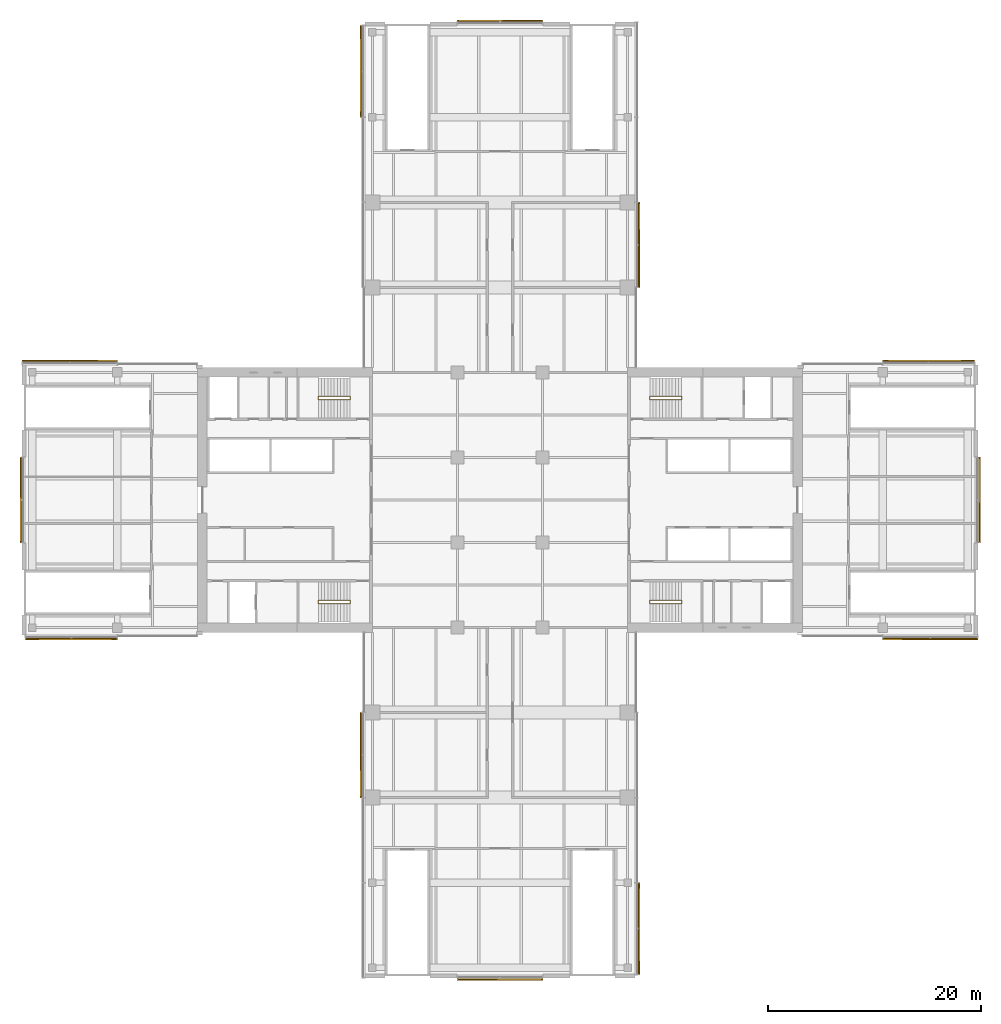
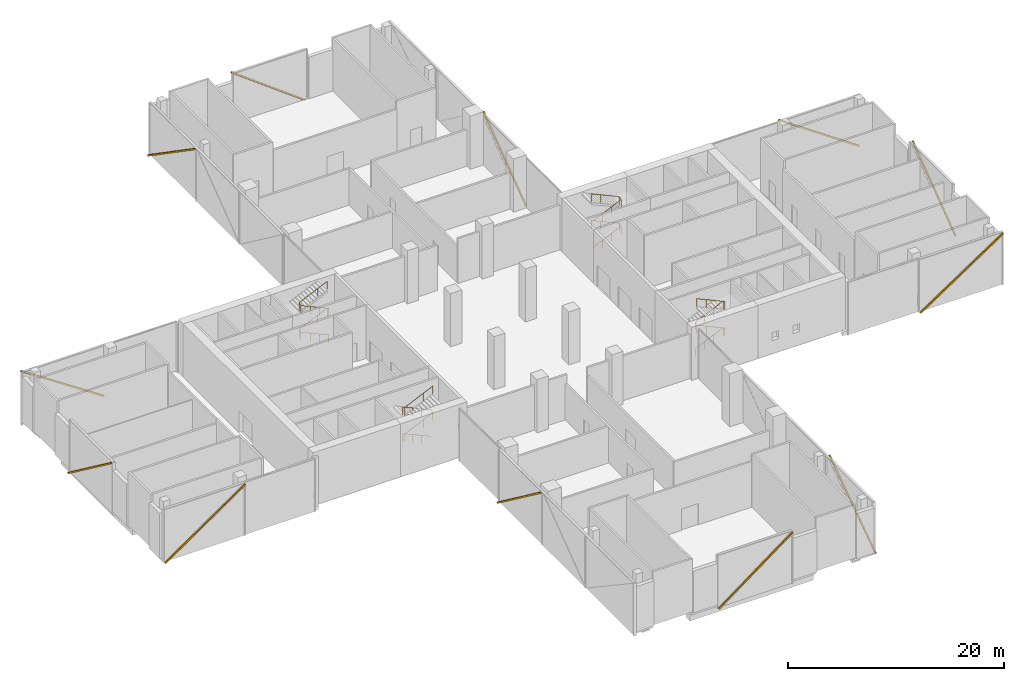
# One storey, part 23 of 23: 12 shading devices, 4 railings, 12 elements without a shape of their own.
"""IFC4 building model written with IfcOpenShell, lengths in metres."""

from ifc_helpers import new_model, si_unit, direction, frame, origin, origin_2d, place, context, subcontext, project, spatial, rectangle, circle, extrude, material, material_profile, profile_set, type_object, element, aggregate, save


model = new_model("IFC4")

# Units and contexts
model_context = context("Model", 3, precision=1e-05, world=origin(), true_north=direction((0.0, 1.0)))
body_context = subcontext(model_context, "Body", "Model", "MODEL_VIEW")
ifc_project = project(units=[si_unit("LENGTHUNIT", "METRE"), si_unit("AREAUNIT", "SQUARE_METRE"), si_unit("VOLUMEUNIT", "CUBIC_METRE"), si_unit("PLANEANGLEUNIT", "RADIAN"), si_unit("MASSUNIT", "GRAM", prefix="KILO")], contexts=[model_context])

# Site, building, storey
site_placement = place(None, origin())
site = spatial("IfcSite", under=ifc_project, at=site_placement, CompositionType="ELEMENT")
building_placement = place(site_placement, origin())
building = spatial("IfcBuilding", under=site, at=building_placement, Name="Crosswind Convention Tower", CompositionType="ELEMENT")
storey_placement = place(building_placement, frame((0.0, 0.0, 41.5)))
storey = spatial("IfcBuildingStorey", under=building, at=storey_placement, Name="L05", CompositionType="ELEMENT", Elevation=41.5)

# Railings
ifc_material_1 = material(Name="Stainless steel", Category="steel")
railing_type = type_object("IfcRailingType", Name="Stair handrail 900", PredefinedType="HANDRAIL", material=ifc_material_1)
railing_1_placement = place(storey_placement, frame((139.10009765625, 109.43994140625, 0.136474609375)))
element("IfcRailing", 1, at=railing_1_placement, inside=storey, type_object=railing_type, Name="Stair ST1 handrail L05", PredefinedType="HANDRAIL", context=body_context, shape_type="SweptSolid", body=[
    extrude(circle(Radius=0.02392578125, at=origin_2d()), frame((0.0, 0.0, 0.8759765625), z_axis=(0.910379163139, 0.0, 0.413775034678), x_axis=(0.0, 1.0, 0.0)), (0.0, 0.0, 1.0), 3.29541015625),
    extrude(circle(Radius=0.02392578125, at=origin_2d()), frame((3.0, 0.0, 2.2392578125), z_axis=(0.0, 0.919869319323, 0.39222498055), x_axis=(-1.0, 0.0, 0.0)), (0.0, 0.0, 1.0), 0.347900390625),
    extrude(circle(Radius=0.02392578125, at=origin_2d()), frame((3.0, 0.320068359375, 2.3759765625), z_axis=(-0.910379163139, 0.0, 0.413775034678), x_axis=(0.0, -1.0, 0.0)), (0.0, 0.0, 1.0), 3.29541015625),
    extrude(circle(Radius=0.02392578125, at=origin_2d()), frame((0.0, 0.320068359375, 3.7392578125), z_axis=(0.0, -0.919869319323, 0.39222498055), x_axis=(1.0, 0.0, 0.0)), (0.0, 0.0, 1.0), 0.347900390625),
    extrude(circle(Radius=0.02392578125, at=origin_2d()), frame((0.0, 0.0, 3.8759765625), z_axis=(0.910379163139, 0.0, 0.413775034678), x_axis=(0.0, 1.0, 0.0)), (0.0, 0.0, 1.0), 3.29541015625),
    extrude(circle(Radius=0.02392578125, at=origin_2d()), frame((3.0, 0.0, 5.2392578125), z_axis=(0.0, 0.919869319323, 0.39222498055), x_axis=(-1.0, 0.0, 0.0)), (0.0, 0.0, 1.0), 0.347900390625),
    extrude(circle(Radius=0.02392578125, at=origin_2d()), frame((3.0, 0.320068359375, 5.3759765625), z_axis=(-0.910379163139, 0.0, 0.413775034678), x_axis=(0.0, -1.0, 0.0)), (0.0, 0.0, 1.0), 3.29541015625),
    extrude(circle(Radius=0.02099609375, at=origin_2d()), origin(), (0.0, 0.0, 1.0), 0.851806640625),
    extrude(circle(Radius=0.02099609375, at=origin_2d()), frame((1.0, 0.0, 0.45458984375)), (0.0, 0.0, 1.0), 0.851806640625),
    extrude(circle(Radius=0.02099609375, at=origin_2d()), frame((2.0, 0.0, 0.908935546875)), (0.0, 0.0, 1.0), 0.851806640625),
    extrude(circle(Radius=0.02099609375, at=origin_2d()), frame((3.0, 0.0, 1.363525390625)), (0.0, 0.0, 1.0), 0.851806640625),
    extrude(circle(Radius=0.02099609375, at=origin_2d()), frame((3.0, 0.320068359375, 1.5)), (0.0, 0.0, 1.0), 0.851806640625),
    extrude(circle(Radius=0.02099609375, at=origin_2d()), frame((2.0, 0.320068359375, 1.95458984375)), (0.0, 0.0, 1.0), 0.851806640625),
    extrude(circle(Radius=0.02099609375, at=origin_2d()), frame((1.0, 0.320068359375, 2.408935546875)), (0.0, 0.0, 1.0), 0.851806640625),
    extrude(circle(Radius=0.02099609375, at=origin_2d()), frame((0.0, 0.320068359375, 2.863525390625)), (0.0, 0.0, 1.0), 0.851806640625),
    extrude(circle(Radius=0.02099609375, at=origin_2d()), frame((0.0, 0.0, 3.0)), (0.0, 0.0, 1.0), 0.851806640625),
    extrude(circle(Radius=0.02099609375, at=origin_2d()), frame((1.0, 0.0, 3.45458984375)), (0.0, 0.0, 1.0), 0.851806640625),
    extrude(circle(Radius=0.02099609375, at=origin_2d()), frame((2.0, 0.0, 3.908935546875)), (0.0, 0.0, 1.0), 0.851806640625),
    extrude(circle(Radius=0.02099609375, at=origin_2d()), frame((3.0, 0.0, 4.363525390625)), (0.0, 0.0, 1.0), 0.851806640625),
    extrude(circle(Radius=0.02099609375, at=origin_2d()), frame((3.0, 0.320068359375, 4.5)), (0.0, 0.0, 1.0), 0.851806640625),
    extrude(circle(Radius=0.02099609375, at=origin_2d()), frame((2.0, 0.320068359375, 4.95458984375)), (0.0, 0.0, 1.0), 0.851806640625),
    extrude(circle(Radius=0.02099609375, at=origin_2d()), frame((1.0, 0.320068359375, 5.408935546875)), (0.0, 0.0, 1.0), 0.851806640625),
    extrude(circle(Radius=0.02099609375, at=origin_2d()), frame((0.0, 0.320068359375, 5.863525390625)), (0.0, 0.0, 1.0), 0.851806640625),
])
railing_2_placement = place(storey_placement, frame((139.10009765625, 90.56005859375, 0.136474609375)))
element("IfcRailing", 2, at=railing_2_placement, inside=storey, type_object=railing_type, Name="Stair ST2 handrail L05", PredefinedType="HANDRAIL", context=body_context, shape_type="SweptSolid", body=[
    extrude(circle(Radius=0.02392578125, at=origin_2d()), frame((0.0, 0.0, 0.8759765625), z_axis=(0.910379163139, 0.0, 0.413775034678), x_axis=(0.0, 1.0, 0.0)), (0.0, 0.0, 1.0), 3.29541015625),
    extrude(circle(Radius=0.02392578125, at=origin_2d()), frame((3.0, 0.0, 2.2392578125), z_axis=(0.0, -0.919869319323, 0.39222498055), x_axis=(1.0, 0.0, 0.0)), (0.0, 0.0, 1.0), 0.347900390625),
    extrude(circle(Radius=0.02392578125, at=origin_2d()), frame((3.0, -0.320068359375, 2.3759765625), z_axis=(-0.910379163139, 0.0, 0.413775034678), x_axis=(0.0, -1.0, 0.0)), (0.0, 0.0, 1.0), 3.29541015625),
    extrude(circle(Radius=0.02392578125, at=origin_2d()), frame((0.0, -0.320068359375, 3.7392578125), z_axis=(0.0, 0.919869319323, 0.39222498055), x_axis=(-1.0, 0.0, 0.0)), (0.0, 0.0, 1.0), 0.347900390625),
    extrude(circle(Radius=0.02392578125, at=origin_2d()), frame((0.0, 0.0, 3.8759765625), z_axis=(0.910379163139, 0.0, 0.413775034678), x_axis=(0.0, 1.0, 0.0)), (0.0, 0.0, 1.0), 3.29541015625),
    extrude(circle(Radius=0.02392578125, at=origin_2d()), frame((3.0, 0.0, 5.2392578125), z_axis=(0.0, -0.919869319323, 0.39222498055), x_axis=(1.0, 0.0, 0.0)), (0.0, 0.0, 1.0), 0.347900390625),
    extrude(circle(Radius=0.02392578125, at=origin_2d()), frame((3.0, -0.320068359375, 5.3759765625), z_axis=(-0.910379163139, 0.0, 0.413775034678), x_axis=(0.0, -1.0, 0.0)), (0.0, 0.0, 1.0), 3.29541015625),
    extrude(circle(Radius=0.02099609375, at=origin_2d()), origin(), (0.0, 0.0, 1.0), 0.851806640625),
    extrude(circle(Radius=0.02099609375, at=origin_2d()), frame((1.0, 0.0, 0.45458984375)), (0.0, 0.0, 1.0), 0.851806640625),
    extrude(circle(Radius=0.02099609375, at=origin_2d()), frame((2.0, 0.0, 0.908935546875)), (0.0, 0.0, 1.0), 0.851806640625),
    extrude(circle(Radius=0.02099609375, at=origin_2d()), frame((3.0, 0.0, 1.363525390625)), (0.0, 0.0, 1.0), 0.851806640625),
    extrude(circle(Radius=0.02099609375, at=origin_2d()), frame((3.0, -0.320068359375, 1.5)), (0.0, 0.0, 1.0), 0.851806640625),
    extrude(circle(Radius=0.02099609375, at=origin_2d()), frame((2.0, -0.320068359375, 1.95458984375)), (0.0, 0.0, 1.0), 0.851806640625),
    extrude(circle(Radius=0.02099609375, at=origin_2d()), frame((1.0, -0.320068359375, 2.408935546875)), (0.0, 0.0, 1.0), 0.851806640625),
    extrude(circle(Radius=0.02099609375, at=origin_2d()), frame((0.0, -0.320068359375, 2.863525390625)), (0.0, 0.0, 1.0), 0.851806640625),
    extrude(circle(Radius=0.02099609375, at=origin_2d()), frame((0.0, 0.0, 3.0)), (0.0, 0.0, 1.0), 0.851806640625),
    extrude(circle(Radius=0.02099609375, at=origin_2d()), frame((1.0, 0.0, 3.45458984375)), (0.0, 0.0, 1.0), 0.851806640625),
    extrude(circle(Radius=0.02099609375, at=origin_2d()), frame((2.0, 0.0, 3.908935546875)), (0.0, 0.0, 1.0), 0.851806640625),
    extrude(circle(Radius=0.02099609375, at=origin_2d()), frame((3.0, 0.0, 4.363525390625)), (0.0, 0.0, 1.0), 0.851806640625),
    extrude(circle(Radius=0.02099609375, at=origin_2d()), frame((3.0, -0.320068359375, 4.5)), (0.0, 0.0, 1.0), 0.851806640625),
    extrude(circle(Radius=0.02099609375, at=origin_2d()), frame((2.0, -0.320068359375, 4.95458984375)), (0.0, 0.0, 1.0), 0.851806640625),
    extrude(circle(Radius=0.02099609375, at=origin_2d()), frame((1.0, -0.320068359375, 5.408935546875)), (0.0, 0.0, 1.0), 0.851806640625),
    extrude(circle(Radius=0.02099609375, at=origin_2d()), frame((0.0, -0.320068359375, 5.863525390625)), (0.0, 0.0, 1.0), 0.851806640625),
])
railing_3_placement = place(storey_placement, frame((110.89990234375, 90.56005859375, 0.136474609375)))
element("IfcRailing", 3, at=railing_3_placement, inside=storey, type_object=railing_type, Name="Stair ST3 handrail L05", PredefinedType="HANDRAIL", context=body_context, shape_type="SweptSolid", body=[
    extrude(circle(Radius=0.02392578125, at=origin_2d()), frame((0.0, 0.0, 0.8759765625), z_axis=(-0.910379163139, 0.0, 0.413775034678), x_axis=(0.0, -1.0, 0.0)), (0.0, 0.0, 1.0), 3.29541015625),
    extrude(circle(Radius=0.02392578125, at=origin_2d()), frame((-3.0, 0.0, 2.2392578125), z_axis=(0.0, -0.919869319323, 0.39222498055), x_axis=(1.0, 0.0, 0.0)), (0.0, 0.0, 1.0), 0.347900390625),
    extrude(circle(Radius=0.02392578125, at=origin_2d()), frame((-3.0, -0.320068359375, 2.3759765625), z_axis=(0.910379163139, 0.0, 0.413775034678), x_axis=(0.0, 1.0, 0.0)), (0.0, 0.0, 1.0), 3.29541015625),
    extrude(circle(Radius=0.02392578125, at=origin_2d()), frame((0.0, -0.320068359375, 3.7392578125), z_axis=(0.0, 0.919869319323, 0.39222498055), x_axis=(-1.0, 0.0, 0.0)), (0.0, 0.0, 1.0), 0.347900390625),
    extrude(circle(Radius=0.02392578125, at=origin_2d()), frame((0.0, 0.0, 3.8759765625), z_axis=(-0.910379163139, 0.0, 0.413775034678), x_axis=(0.0, -1.0, 0.0)), (0.0, 0.0, 1.0), 3.29541015625),
    extrude(circle(Radius=0.02392578125, at=origin_2d()), frame((-3.0, 0.0, 5.2392578125), z_axis=(0.0, -0.919869319323, 0.39222498055), x_axis=(1.0, 0.0, 0.0)), (0.0, 0.0, 1.0), 0.347900390625),
    extrude(circle(Radius=0.02392578125, at=origin_2d()), frame((-3.0, -0.320068359375, 5.3759765625), z_axis=(0.910379163139, 0.0, 0.413775034678), x_axis=(0.0, 1.0, 0.0)), (0.0, 0.0, 1.0), 3.29541015625),
    extrude(circle(Radius=0.02099609375, at=origin_2d()), origin(), (0.0, 0.0, 1.0), 0.851806640625),
    extrude(circle(Radius=0.02099609375, at=origin_2d()), frame((-1.0, 0.0, 0.45458984375)), (0.0, 0.0, 1.0), 0.851806640625),
    extrude(circle(Radius=0.02099609375, at=origin_2d()), frame((-2.0, 0.0, 0.908935546875)), (0.0, 0.0, 1.0), 0.851806640625),
    extrude(circle(Radius=0.02099609375, at=origin_2d()), frame((-3.0, 0.0, 1.363525390625)), (0.0, 0.0, 1.0), 0.851806640625),
    extrude(circle(Radius=0.02099609375, at=origin_2d()), frame((-3.0, -0.320068359375, 1.5)), (0.0, 0.0, 1.0), 0.851806640625),
    extrude(circle(Radius=0.02099609375, at=origin_2d()), frame((-2.0, -0.320068359375, 1.95458984375)), (0.0, 0.0, 1.0), 0.851806640625),
    extrude(circle(Radius=0.02099609375, at=origin_2d()), frame((-1.0, -0.320068359375, 2.408935546875)), (0.0, 0.0, 1.0), 0.851806640625),
    extrude(circle(Radius=0.02099609375, at=origin_2d()), frame((0.0, -0.320068359375, 2.863525390625)), (0.0, 0.0, 1.0), 0.851806640625),
    extrude(circle(Radius=0.02099609375, at=origin_2d()), frame((0.0, 0.0, 3.0)), (0.0, 0.0, 1.0), 0.851806640625),
    extrude(circle(Radius=0.02099609375, at=origin_2d()), frame((-1.0, 0.0, 3.45458984375)), (0.0, 0.0, 1.0), 0.851806640625),
    extrude(circle(Radius=0.02099609375, at=origin_2d()), frame((-2.0, 0.0, 3.908935546875)), (0.0, 0.0, 1.0), 0.851806640625),
    extrude(circle(Radius=0.02099609375, at=origin_2d()), frame((-3.0, 0.0, 4.363525390625)), (0.0, 0.0, 1.0), 0.851806640625),
    extrude(circle(Radius=0.02099609375, at=origin_2d()), frame((-3.0, -0.320068359375, 4.5)), (0.0, 0.0, 1.0), 0.851806640625),
    extrude(circle(Radius=0.02099609375, at=origin_2d()), frame((-2.0, -0.320068359375, 4.95458984375)), (0.0, 0.0, 1.0), 0.851806640625),
    extrude(circle(Radius=0.02099609375, at=origin_2d()), frame((-1.0, -0.320068359375, 5.408935546875)), (0.0, 0.0, 1.0), 0.851806640625),
    extrude(circle(Radius=0.02099609375, at=origin_2d()), frame((0.0, -0.320068359375, 5.863525390625)), (0.0, 0.0, 1.0), 0.851806640625),
])
railing_4_placement = place(storey_placement, frame((110.89990234375, 109.43994140625, 0.136474609375)))
element("IfcRailing", 4, at=railing_4_placement, inside=storey, type_object=railing_type, Name="Stair ST4 handrail L05", PredefinedType="HANDRAIL", context=body_context, shape_type="SweptSolid", body=[
    extrude(circle(Radius=0.02392578125, at=origin_2d()), frame((0.0, 0.0, 0.8759765625), z_axis=(-0.910379163139, 0.0, 0.413775034678), x_axis=(0.0, -1.0, 0.0)), (0.0, 0.0, 1.0), 3.29541015625),
    extrude(circle(Radius=0.02392578125, at=origin_2d()), frame((-3.0, 0.0, 2.2392578125), z_axis=(0.0, 0.919869319323, 0.39222498055), x_axis=(-1.0, 0.0, 0.0)), (0.0, 0.0, 1.0), 0.347900390625),
    extrude(circle(Radius=0.02392578125, at=origin_2d()), frame((-3.0, 0.320068359375, 2.3759765625), z_axis=(0.910379163139, 0.0, 0.413775034678), x_axis=(0.0, 1.0, 0.0)), (0.0, 0.0, 1.0), 3.29541015625),
    extrude(circle(Radius=0.02392578125, at=origin_2d()), frame((0.0, 0.320068359375, 3.7392578125), z_axis=(0.0, -0.919869319323, 0.39222498055), x_axis=(1.0, 0.0, 0.0)), (0.0, 0.0, 1.0), 0.347900390625),
    extrude(circle(Radius=0.02392578125, at=origin_2d()), frame((0.0, 0.0, 3.8759765625), z_axis=(-0.910379163139, 0.0, 0.413775034678), x_axis=(0.0, -1.0, 0.0)), (0.0, 0.0, 1.0), 3.29541015625),
    extrude(circle(Radius=0.02392578125, at=origin_2d()), frame((-3.0, 0.0, 5.2392578125), z_axis=(0.0, 0.919869319323, 0.39222498055), x_axis=(-1.0, 0.0, 0.0)), (0.0, 0.0, 1.0), 0.347900390625),
    extrude(circle(Radius=0.02392578125, at=origin_2d()), frame((-3.0, 0.320068359375, 5.3759765625), z_axis=(0.910379163139, 0.0, 0.413775034678), x_axis=(0.0, 1.0, 0.0)), (0.0, 0.0, 1.0), 3.29541015625),
    extrude(circle(Radius=0.02099609375, at=origin_2d()), origin(), (0.0, 0.0, 1.0), 0.851806640625),
    extrude(circle(Radius=0.02099609375, at=origin_2d()), frame((-1.0, 0.0, 0.45458984375)), (0.0, 0.0, 1.0), 0.851806640625),
    extrude(circle(Radius=0.02099609375, at=origin_2d()), frame((-2.0, 0.0, 0.908935546875)), (0.0, 0.0, 1.0), 0.851806640625),
    extrude(circle(Radius=0.02099609375, at=origin_2d()), frame((-3.0, 0.0, 1.363525390625)), (0.0, 0.0, 1.0), 0.851806640625),
    extrude(circle(Radius=0.02099609375, at=origin_2d()), frame((-3.0, 0.320068359375, 1.5)), (0.0, 0.0, 1.0), 0.851806640625),
    extrude(circle(Radius=0.02099609375, at=origin_2d()), frame((-2.0, 0.320068359375, 1.95458984375)), (0.0, 0.0, 1.0), 0.851806640625),
    extrude(circle(Radius=0.02099609375, at=origin_2d()), frame((-1.0, 0.320068359375, 2.408935546875)), (0.0, 0.0, 1.0), 0.851806640625),
    extrude(circle(Radius=0.02099609375, at=origin_2d()), frame((0.0, 0.320068359375, 2.863525390625)), (0.0, 0.0, 1.0), 0.851806640625),
    extrude(circle(Radius=0.02099609375, at=origin_2d()), frame((0.0, 0.0, 3.0)), (0.0, 0.0, 1.0), 0.851806640625),
    extrude(circle(Radius=0.02099609375, at=origin_2d()), frame((-1.0, 0.0, 3.45458984375)), (0.0, 0.0, 1.0), 0.851806640625),
    extrude(circle(Radius=0.02099609375, at=origin_2d()), frame((-2.0, 0.0, 3.908935546875)), (0.0, 0.0, 1.0), 0.851806640625),
    extrude(circle(Radius=0.02099609375, at=origin_2d()), frame((-3.0, 0.0, 4.363525390625)), (0.0, 0.0, 1.0), 0.851806640625),
    extrude(circle(Radius=0.02099609375, at=origin_2d()), frame((-3.0, 0.320068359375, 4.5)), (0.0, 0.0, 1.0), 0.851806640625),
    extrude(circle(Radius=0.02099609375, at=origin_2d()), frame((-2.0, 0.320068359375, 4.95458984375)), (0.0, 0.0, 1.0), 0.851806640625),
    extrude(circle(Radius=0.02099609375, at=origin_2d()), frame((-1.0, 0.320068359375, 5.408935546875)), (0.0, 0.0, 1.0), 0.851806640625),
    extrude(circle(Radius=0.02099609375, at=origin_2d()), frame((0.0, 0.320068359375, 5.863525390625)), (0.0, 0.0, 1.0), 0.851806640625),
])

# Curtain wall, shading device
ifc_material_2 = material(Name="Aluminium unitised curtain wall", Category="aluminium")
curtain_wall_type = type_object("IfcCurtainWallType", Name="PODIUM UNITISED WALL 300", PredefinedType="USERDEFINED", material=ifc_material_2)
curtain_wall_1_placement = place(storey_placement, origin())
curtain_wall_1 = element("IfcCurtainWall", 5, at=curtain_wall_1_placement, inside=storey, type_object=curtain_wall_type, Name="CW1 L05 E-TIP 1", ObjectType="UNITISED", PredefinedType="USERDEFINED")
ifc_material_3 = material(Name="Extruded terracotta", Category="masonry")
ifc_material_profile = material_profile(ifc_material_3, rectangle(XDim=0.139892578125, YDim=0.159912109375, at=origin_2d()), Name="TC 140X160")
ifc_profile_set = profile_set([ifc_material_profile], Name="Extruded terracotta")
shading_device_type = type_object("IfcShadingDeviceType", Name="TERRACOTTA BAGUETTE 160X140", PredefinedType="USERDEFINED", material=ifc_profile_set)
shading_device_1_placement = place(storey_placement, frame((170.093994140625, 96.0400390625, -0.39990234375), z_axis=(0.0, 0.800970781984, 0.598703437779), x_axis=(-1.0, 0.0, 0.0)))
shading_device_1 = element("IfcShadingDevice", 6, at=shading_device_1_placement, type_object=shading_device_type, Name="CW1 terracotta baguette 1", ObjectType="BAGUETTE", PredefinedType="USERDEFINED", context=body_context, shape_type="SweptSolid", body=[
    extrude(rectangle(XDim=0.139892578125, YDim=0.159912109375, at=origin_2d()), origin(), (0.0, 0.0, 1.0), 9.887939453125),
])
aggregate(curtain_wall_1, [shading_device_1])

curtain_wall_2_placement = place(storey_placement, origin())
curtain_wall_2 = element("IfcCurtainWall", 7, at=curtain_wall_2_placement, inside=storey, type_object=curtain_wall_type, Name="CW1 L05 E-N 1", ObjectType="UNITISED", PredefinedType="USERDEFINED")
shading_device_2_placement = place(storey_placement, frame((169.6201171875, 113.093994140625, -0.39990234375), z_axis=(-0.823095004467, 0.0, 0.567903701011), x_axis=(0.0, -1.0, 0.0)))
shading_device_2 = element("IfcShadingDevice", 8, at=shading_device_2_placement, type_object=shading_device_type, Name="CW1 terracotta baguette 1", ObjectType="BAGUETTE", PredefinedType="USERDEFINED", context=body_context, shape_type="SweptSolid", body=[
    extrude(rectangle(XDim=0.139892578125, YDim=0.159912109375, at=origin_2d()), origin(), (0.0, 0.0, 1.0), 10.424072265625),
])
aggregate(curtain_wall_2, [shading_device_2])

curtain_wall_3_placement = place(storey_placement, origin())
curtain_wall_3 = element("IfcCurtainWall", 9, at=curtain_wall_3_placement, inside=storey, type_object=curtain_wall_type, Name="CW1 L05 N-E 1", ObjectType="UNITISED", PredefinedType="USERDEFINED")
shading_device_3_placement = place(storey_placement, frame((138.093994140625, 120.0400390625, -0.39990234375), z_axis=(0.0, 0.800970781984, 0.598703437779), x_axis=(-1.0, 0.0, 0.0)))
shading_device_3 = element("IfcShadingDevice", 10, at=shading_device_3_placement, type_object=shading_device_type, Name="CW1 terracotta baguette 1", ObjectType="BAGUETTE", PredefinedType="USERDEFINED", context=body_context, shape_type="SweptSolid", body=[
    extrude(rectangle(XDim=0.139892578125, YDim=0.159912109375, at=origin_2d()), origin(), (0.0, 0.0, 1.0), 9.887939453125),
])
aggregate(curtain_wall_3, [shading_device_3])

curtain_wall_4_placement = place(storey_placement, origin())
curtain_wall_4 = element("IfcCurtainWall", 11, at=curtain_wall_4_placement, inside=storey, type_object=curtain_wall_type, Name="CW1 L05 N-TIP 1", ObjectType="UNITISED", PredefinedType="USERDEFINED")
shading_device_4_placement = place(storey_placement, frame((128.9599609375, 145.093994140625, -0.39990234375), z_axis=(-0.800970781984, 0.0, 0.598703437779), x_axis=(0.0, -1.0, 0.0)))
shading_device_4 = element("IfcShadingDevice", 12, at=shading_device_4_placement, type_object=shading_device_type, Name="CW1 terracotta baguette 1", ObjectType="BAGUETTE", PredefinedType="USERDEFINED", context=body_context, shape_type="SweptSolid", body=[
    extrude(rectangle(XDim=0.139892578125, YDim=0.159912109375, at=origin_2d()), origin(), (0.0, 0.0, 1.0), 9.887939453125),
])
aggregate(curtain_wall_4, [shading_device_4])

curtain_wall_5_placement = place(storey_placement, origin())
curtain_wall_5 = element("IfcCurtainWall", 13, at=curtain_wall_5_placement, inside=storey, type_object=curtain_wall_type, Name="CW1 L05 N-W 1", ObjectType="UNITISED", PredefinedType="USERDEFINED")
shading_device_5_placement = place(storey_placement, frame((111.906005859375, 144.6201171875, -0.39990234375), z_axis=(0.0, -0.823095004467, 0.567903701011), x_axis=(1.0, 0.0, 0.0)))
shading_device_5 = element("IfcShadingDevice", 14, at=shading_device_5_placement, type_object=shading_device_type, Name="CW1 terracotta baguette 1", ObjectType="BAGUETTE", PredefinedType="USERDEFINED", context=body_context, shape_type="SweptSolid", body=[
    extrude(rectangle(XDim=0.139892578125, YDim=0.159912109375, at=origin_2d()), origin(), (0.0, 0.0, 1.0), 10.424072265625),
])
aggregate(curtain_wall_5, [shading_device_5])

curtain_wall_6_placement = place(storey_placement, origin())
curtain_wall_6 = element("IfcCurtainWall", 15, at=curtain_wall_6_placement, inside=storey, type_object=curtain_wall_type, Name="CW1 L05 W-N 2", ObjectType="UNITISED", PredefinedType="USERDEFINED")
shading_device_6_placement = place(storey_placement, frame((88.9599609375, 113.093994140625, -0.39990234375), z_axis=(-0.831620178309, 0.0, 0.55534482894), x_axis=(0.0, -1.0, 0.0)))
shading_device_6 = element("IfcShadingDevice", 16, at=shading_device_6_placement, type_object=shading_device_type, Name="CW1 terracotta baguette 1", ObjectType="BAGUETTE", PredefinedType="USERDEFINED", context=body_context, shape_type="SweptSolid", body=[
    extrude(rectangle(XDim=0.139892578125, YDim=0.159912109375, at=origin_2d()), origin(), (0.0, 0.0, 1.0), 10.659912109375),
])
aggregate(curtain_wall_6, [shading_device_6])

curtain_wall_7_placement = place(storey_placement, origin())
curtain_wall_7 = element("IfcCurtainWall", 17, at=curtain_wall_7_placement, inside=storey, type_object=curtain_wall_type, Name="CW1 L05 W-TIP 1", ObjectType="UNITISED", PredefinedType="USERDEFINED")
shading_device_7_placement = place(storey_placement, frame((79.906005859375, 103.9599609375, -0.39990234375), z_axis=(0.0, -0.800970781984, 0.598703437779), x_axis=(1.0, 0.0, 0.0)))
shading_device_7 = element("IfcShadingDevice", 18, at=shading_device_7_placement, type_object=shading_device_type, Name="CW1 terracotta baguette 1", ObjectType="BAGUETTE", PredefinedType="USERDEFINED", context=body_context, shape_type="SweptSolid", body=[
    extrude(rectangle(XDim=0.139892578125, YDim=0.159912109375, at=origin_2d()), origin(), (0.0, 0.0, 1.0), 9.887939453125),
])
aggregate(curtain_wall_7, [shading_device_7])

curtain_wall_8_placement = place(storey_placement, origin())
curtain_wall_8 = element("IfcCurtainWall", 19, at=curtain_wall_8_placement, inside=storey, type_object=curtain_wall_type, Name="CW1 L05 W-S 1", ObjectType="UNITISED", PredefinedType="USERDEFINED")
shading_device_8_placement = place(storey_placement, frame((80.3798828125, 86.906005859375, -0.39990234375), z_axis=(0.823095004467, 0.0, 0.567903701011), x_axis=(0.0, 1.0, 0.0)))
shading_device_8 = element("IfcShadingDevice", 20, at=shading_device_8_placement, type_object=shading_device_type, Name="CW1 terracotta baguette 1", ObjectType="BAGUETTE", PredefinedType="USERDEFINED", context=body_context, shape_type="SweptSolid", body=[
    extrude(rectangle(XDim=0.139892578125, YDim=0.159912109375, at=origin_2d()), origin(), (0.0, 0.0, 1.0), 10.424072265625),
])
aggregate(curtain_wall_8, [shading_device_8])

curtain_wall_9_placement = place(storey_placement, origin())
curtain_wall_9 = element("IfcCurtainWall", 21, at=curtain_wall_9_placement, inside=storey, type_object=curtain_wall_type, Name="CW1 L05 S-W 1", ObjectType="UNITISED", PredefinedType="USERDEFINED")
shading_device_9_placement = place(storey_placement, frame((111.906005859375, 79.9599609375, -0.39990234375), z_axis=(0.0, -0.800970781984, 0.598703437779), x_axis=(1.0, 0.0, 0.0)))
shading_device_9 = element("IfcShadingDevice", 22, at=shading_device_9_placement, type_object=shading_device_type, Name="CW1 terracotta baguette 1", ObjectType="BAGUETTE", PredefinedType="USERDEFINED", context=body_context, shape_type="SweptSolid", body=[
    extrude(rectangle(XDim=0.139892578125, YDim=0.159912109375, at=origin_2d()), origin(), (0.0, 0.0, 1.0), 9.887939453125),
])
aggregate(curtain_wall_9, [shading_device_9])

curtain_wall_10_placement = place(storey_placement, origin())
curtain_wall_10 = element("IfcCurtainWall", 23, at=curtain_wall_10_placement, inside=storey, type_object=curtain_wall_type, Name="CW1 L05 S-TIP 1", ObjectType="UNITISED", PredefinedType="USERDEFINED")
shading_device_10_placement = place(storey_placement, frame((121.0400390625, 54.906005859375, -0.39990234375), z_axis=(0.800970781984, 0.0, 0.598703437779), x_axis=(0.0, 1.0, 0.0)))
shading_device_10 = element("IfcShadingDevice", 24, at=shading_device_10_placement, type_object=shading_device_type, Name="CW1 terracotta baguette 1", ObjectType="BAGUETTE", PredefinedType="USERDEFINED", context=body_context, shape_type="SweptSolid", body=[
    extrude(rectangle(XDim=0.139892578125, YDim=0.159912109375, at=origin_2d()), origin(), (0.0, 0.0, 1.0), 9.887939453125),
])
aggregate(curtain_wall_10, [shading_device_10])

curtain_wall_11_placement = place(storey_placement, origin())
curtain_wall_11 = element("IfcCurtainWall", 25, at=curtain_wall_11_placement, inside=storey, type_object=curtain_wall_type, Name="CW1 L05 S-E 1", ObjectType="UNITISED", PredefinedType="USERDEFINED")
shading_device_11_placement = place(storey_placement, frame((138.093994140625, 55.3798828125, -0.39990234375), z_axis=(0.0, 0.823095004467, 0.567903701011), x_axis=(-1.0, 0.0, 0.0)))
shading_device_11 = element("IfcShadingDevice", 26, at=shading_device_11_placement, type_object=shading_device_type, Name="CW1 terracotta baguette 1", ObjectType="BAGUETTE", PredefinedType="USERDEFINED", context=body_context, shape_type="SweptSolid", body=[
    extrude(rectangle(XDim=0.139892578125, YDim=0.159912109375, at=origin_2d()), origin(), (0.0, 0.0, 1.0), 10.424072265625),
])
aggregate(curtain_wall_11, [shading_device_11])

curtain_wall_12_placement = place(storey_placement, origin())
curtain_wall_12 = element("IfcCurtainWall", 27, at=curtain_wall_12_placement, inside=storey, type_object=curtain_wall_type, Name="CW1 L05 E-S 2", ObjectType="UNITISED", PredefinedType="USERDEFINED")
shading_device_12_placement = place(storey_placement, frame((161.0400390625, 86.906005859375, -0.39990234375), z_axis=(0.831620178309, 0.0, 0.55534482894), x_axis=(0.0, 1.0, 0.0)))
shading_device_12 = element("IfcShadingDevice", 28, at=shading_device_12_placement, type_object=shading_device_type, Name="CW1 terracotta baguette 1", ObjectType="BAGUETTE", PredefinedType="USERDEFINED", context=body_context, shape_type="SweptSolid", body=[
    extrude(rectangle(XDim=0.139892578125, YDim=0.159912109375, at=origin_2d()), origin(), (0.0, 0.0, 1.0), 10.659912109375),
])
aggregate(curtain_wall_12, [shading_device_12])

save(model, "model.ifc")
